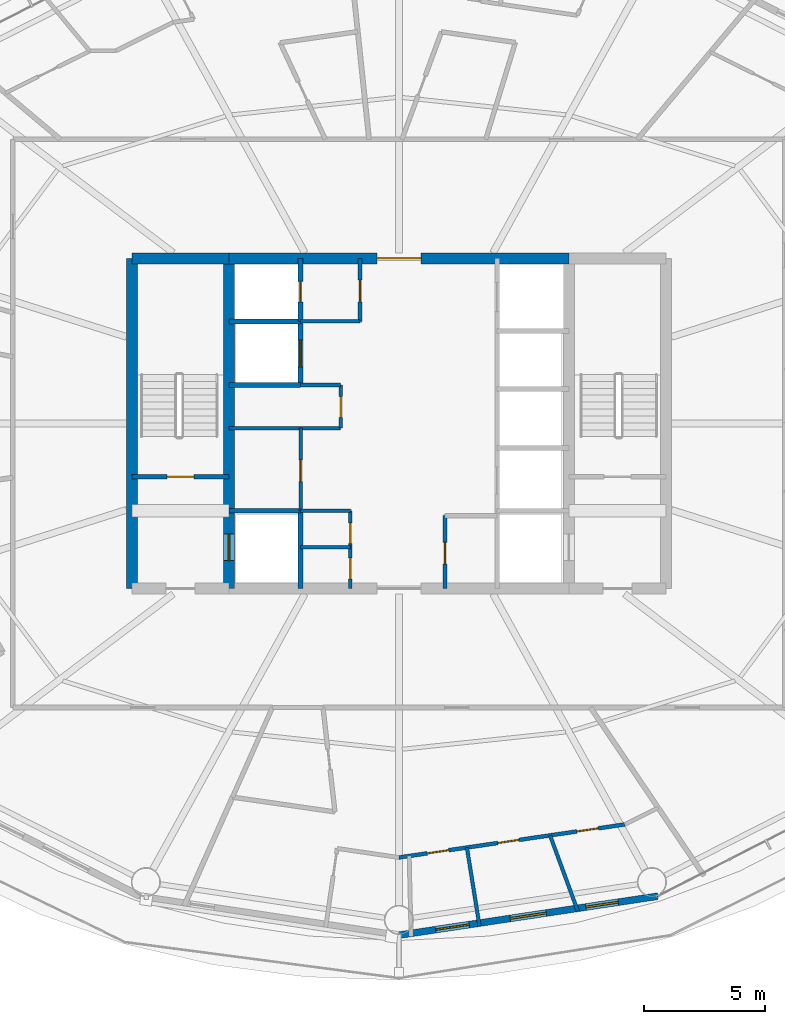
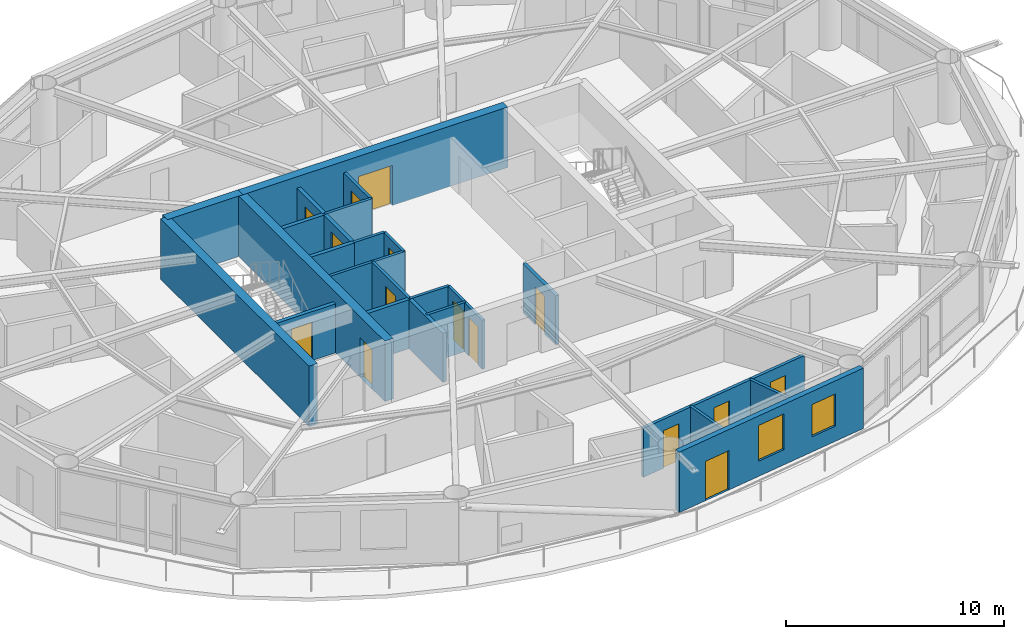
# One storey, part 21 of 28: 25 walls, 15 doors, 2 windows, 17 openings.
"""IFC4 building model written with IfcOpenShell, lengths in metres."""

from ifc_helpers import new_model, si_unit, direction, frame, frame_2d, origin, place, context, subcontext, project, spatial, rectangle, extrude, material, layer, layer_set, type_object, element, fill, save


model = new_model("IFC4")

# Units and contexts
model_context = context("Model", 3, precision=1e-05, world=origin(), true_north=direction((0.0, 1.0)))
body_context = subcontext(model_context, "Body", "Model", "MODEL_VIEW")
ifc_project = project(units=[si_unit("LENGTHUNIT", "METRE"), si_unit("AREAUNIT", "SQUARE_METRE"), si_unit("VOLUMEUNIT", "CUBIC_METRE"), si_unit("PLANEANGLEUNIT", "RADIAN"), si_unit("MASSUNIT", "GRAM", prefix="KILO")], contexts=[model_context])

# Site, building, storey
site_placement = place(None, origin())
site = spatial("IfcSite", under=ifc_project, at=site_placement, CompositionType="ELEMENT")
building_placement = place(site_placement, origin())
building = spatial("IfcBuilding", under=site, at=building_placement, Name="Sarneth Arch Tower", CompositionType="ELEMENT")
storey_placement = place(building_placement, frame((0.0, 0.0, 179.39990234375)))
storey = spatial("IfcBuildingStorey", under=building, at=storey_placement, Name="L45", CompositionType="ELEMENT", Elevation=179.39990234375)

# Wall
ifc_material_1 = material(Name="Concrete C50/60", Category="concrete")
ifc_layer_1 = layer(ifc_material_1, 0.449951171875)
ifc_layer_set_1 = layer_set([ifc_layer_1], Name="Concrete C50/60")
wall_type_1 = type_object("IfcWallType", Name="WALL-CORE-450", PredefinedType="SHEAR", material=ifc_layer_set_1)
wall_1_placement = place(storey_placement, frame((37.0, 48.800048828125, 0.0), z_axis=(0.0, 0.0, 1.0), x_axis=(1.0, 0.0, 0.0)))
element("IfcWall", 1, at=wall_1_placement, inside=storey, type_object=wall_type_1, Name="L45 Core shear wall N-W", PredefinedType="SHEAR", context=body_context, shape_type="SweptSolid", body=[
    extrude(rectangle(XDim=4.0, YDim=0.449951171875, at=frame_2d((2.0, 0.0))), origin(), (0.0, 0.0, 1.0), 3.380126953125),
])

# Wall, opening, door
wall_2_placement = place(storey_placement, frame((41.0, 48.800048828125, 0.0), z_axis=(0.0, 0.0, 1.0), x_axis=(1.0, 0.0, 0.0)))
wall_2 = element("IfcWall", 2, at=wall_2_placement, inside=storey, type_object=wall_type_1, Name="L45 Core shear wall N-M", PredefinedType="SHEAR", context=body_context, shape_type="SweptSolid", body=[
    extrude(rectangle(XDim=14.0, YDim=0.449951171875, at=frame_2d((7.0, 0.0))), origin(), (0.0, 0.0, 1.0), 3.380126953125),
])
opening_1_placement = place(wall_2_placement, frame((6.10009765625, 0.0, 0.0)))
opening_1 = element("IfcOpeningElement", 3, at=opening_1_placement, cuts=wall_2, Name="Opening FD-01", PredefinedType="OPENING", context=body_context, shape_type="SweptSolid", body=[
    extrude(rectangle(XDim=1.800048828125, YDim=2.25, at=frame_2d((0.89990234375, 1.125))), frame((0.0, 0.23486328125, 0.0), z_axis=(0.0, -1.0, 0.0), x_axis=(1.0, 0.0, 0.0)), (0.0, 0.0, 1.0), 0.469970703125),
])
ifc_material_2 = material(Name="Galvanised Steel S275 fire door set", Category="steel")
door_type_1 = type_object("IfcDoorType", Name="DR-FD90-1800", OperationType="DOUBLE_DOOR_SINGLE_SWING", PredefinedType="DOOR", material=ifc_material_2)
door_1_placement = place(opening_1_placement, origin())
door_1 = element("IfcDoor", 4, at=door_1_placement, inside=storey, type_object=door_type_1, Name="L45 Central lift lobby north door", OperationType="DOUBLE_DOOR_SINGLE_SWING", OverallHeight=2.25, OverallWidth=1.800048828125, PredefinedType="DOOR", context=body_context, shape_type="SweptSolid", body=[
    extrude(rectangle(XDim=1.800048828125, YDim=2.25, at=frame_2d((0.89990234375, 1.125))), frame((0.0, 0.02490234375, 0.0), z_axis=(0.0, -1.0, 0.0), x_axis=(1.0, 0.0, 0.0)), (0.0, 0.0, 1.0), 0.050048828125),
])
fill(opening_1, door_1)

# Wall
wall_3_placement = place(storey_placement, frame((37.0, 35.199951171875, 0.0), z_axis=(0.0, 0.0, 1.0), x_axis=(0.0, 1.0, 0.0)))
element("IfcWall", 5, at=wall_3_placement, inside=storey, type_object=wall_type_1, Name="L45 Core shear wall W", PredefinedType="SHEAR", context=body_context, shape_type="SweptSolid", body=[
    extrude(rectangle(XDim=13.60009765625, YDim=0.449951171875, at=frame_2d((6.800048828125, 0.0))), origin(), (0.0, 0.0, 1.0), 3.380126953125),
])

# Wall, opening, door
wall_4_placement = place(storey_placement, frame((41.0, 35.199951171875, 0.0), z_axis=(0.0, 0.0, 1.0), x_axis=(0.0, 1.0, 0.0)))
wall_4 = element("IfcWall", 6, at=wall_4_placement, inside=storey, type_object=wall_type_1, Name="L45 Core shear wall WEB-W", PredefinedType="SHEAR", context=body_context, shape_type="SweptSolid", body=[
    extrude(rectangle(XDim=13.60009765625, YDim=0.449951171875, at=frame_2d((6.800048828125, 0.0))), origin(), (0.0, 0.0, 1.0), 3.380126953125),
])
opening_2_placement = place(wall_4_placement, frame((1.14990234375, 0.0, 0.0)))
opening_2 = element("IfcOpeningElement", 7, at=opening_2_placement, cuts=wall_4, Name="Opening LD-1", PredefinedType="OPENING", context=body_context, shape_type="SweptSolid", body=[
    extrude(rectangle(XDim=1.10009765625, YDim=2.199951171875, at=frame_2d((0.550048828125, 1.10009765625))), frame((0.0, 0.23486328125, 0.0), z_axis=(0.0, -1.0, 0.0), x_axis=(1.0, 0.0, 0.0)), (0.0, 0.0, 1.0), 0.469970703125),
])
ifc_material_3 = material(Name="Brushed Stainless Steel 304 lift landing door", Category="steel")
door_type_2 = type_object("IfcDoorType", Name="DR-LIFT-SLIDE-1100", OperationType="SLIDING_TO_LEFT", PredefinedType="DOOR", material=ifc_material_3)
door_2_placement = place(opening_2_placement, origin())
door_2 = element("IfcDoor", 8, at=door_2_placement, inside=storey, type_object=door_type_2, Name="L45 Firefighting lift landing door FL-1", OperationType="SLIDING_TO_LEFT", OverallHeight=2.199951171875, OverallWidth=1.10009765625, PredefinedType="DOOR", context=body_context, shape_type="SweptSolid", body=[
    extrude(rectangle(XDim=1.10009765625, YDim=2.199951171875, at=frame_2d((0.550048828125, 1.10009765625))), frame((0.0, 0.02490234375, 0.0), z_axis=(0.0, -1.0, 0.0), x_axis=(1.0, 0.0, 0.0)), (0.0, 0.0, 1.0), 0.050048828125),
])
fill(opening_2, door_2)

# Wall, openings, door, windows
ifc_material_4 = material(Name="Extruded terracotta rainscreen on Concrete C40/50 backing", Category="masonry")
ifc_layer_2 = layer(ifc_material_4, 0.280029296875)
ifc_layer_set_2 = layer_set([ifc_layer_2], Name="Extruded terracotta rainscreen on Concrete C40/50 backing")
wall_type_2 = type_object("IfcWallType", Name="WALL-EXT-TERRA-280", PredefinedType="SOLIDWALL", material=ifc_layer_set_2)
wall_5_placement = place(storey_placement, frame((48.0, 20.919921875, 0.0), z_axis=(0.0, 0.0, 1.0), x_axis=(0.988863993413, 0.148822049884, 0.0)))
wall_5 = element("IfcWall", 9, at=wall_5_placement, inside=storey, type_object=wall_type_2, Name="L45 Terracotta perimeter wall 13", PredefinedType="SOLIDWALL", context=body_context, shape_type="SweptSolid", body=[
    extrude(rectangle(XDim=10.782958984375, YDim=0.280029296875, at=frame_2d((5.3916015625, 0.0))), origin(), (0.0, 0.0, 1.0), 3.380126953125),
])
opening_3_placement = place(wall_5_placement, frame((1.523681640625, 0.0, 0.0)))
opening_3 = element("IfcOpeningElement", 10, at=opening_3_placement, cuts=wall_5, Name="Opening BD-2", PredefinedType="OPENING", context=body_context, shape_type="SweptSolid", body=[
    extrude(rectangle(XDim=1.39990234375, YDim=2.199951171875, at=frame_2d((0.699951171875, 1.10009765625))), frame((0.0, 0.14990234375, 0.0), z_axis=(0.0, -1.0, 0.0), x_axis=(1.0, 0.0, 0.0)), (0.0, 0.0, 1.0), 0.300048828125),
])
opening_4_placement = place(wall_5_placement, frame((4.636962890625, 0.0, 0.85009765625)))
opening_4 = element("IfcOpeningElement", 11, at=opening_4_placement, cuts=wall_5, Name="Opening W-06", PredefinedType="OPENING", context=body_context, shape_type="SweptSolid", body=[
    extrude(rectangle(XDim=1.5, YDim=2.0, at=frame_2d((0.75, 1.0))), frame((0.0, 0.14990234375, 0.0), z_axis=(0.0, -1.0, 0.0), x_axis=(1.0, 0.0, 0.0)), (0.0, 0.0, 1.0), 0.300048828125),
])
opening_5_placement = place(wall_5_placement, frame((7.783203125, 0.0, 0.85009765625)))
opening_5 = element("IfcOpeningElement", 12, at=opening_5_placement, cuts=wall_5, Name="Opening W-08", PredefinedType="OPENING", context=body_context, shape_type="SweptSolid", body=[
    extrude(rectangle(XDim=1.35009765625, YDim=1.800048828125, at=frame_2d((0.675048828125, 0.89990234375))), frame((0.0, 0.14990234375, 0.0), z_axis=(0.0, -1.0, 0.0), x_axis=(1.0, 0.0, 0.0)), (0.0, 0.0, 1.0), 0.300048828125),
])
ifc_material_5 = material(Name="Thermally broken Aluminium 6063-T6 and laminated safety glass", Category="aluminium")
door_type_3 = type_object("IfcDoorType", Name="DR-BALC-GLZ-1400", OperationType="SINGLE_SWING_LEFT", PredefinedType="DOOR", material=ifc_material_5)
door_3_placement = place(opening_3_placement, origin())
door_3 = element("IfcDoor", 13, at=door_3_placement, inside=storey, type_object=door_type_3, Name="L45 Balcony glazed door 13", OperationType="SINGLE_SWING_LEFT", OverallHeight=2.199951171875, OverallWidth=1.39990234375, PredefinedType="DOOR", context=body_context, shape_type="SweptSolid", body=[
    extrude(rectangle(XDim=1.39990234375, YDim=2.199951171875, at=frame_2d((0.699951171875, 1.10009765625))), frame((0.0, 0.02490234375, 0.0), z_axis=(0.0, -1.0, 0.0), x_axis=(1.0, 0.0, 0.0)), (0.0, 0.0, 1.0), 0.050048828125),
])
fill(opening_3, door_3)
ifc_material_6 = material(Name="Thermally broken Aluminium 6063-T6 and low-e laminated IGU", Category="aluminium")
window_type_1 = type_object("IfcWindowType", Name="WIN-TWR-1350x1800", PartitioningType="SINGLE_PANEL", PredefinedType="WINDOW", material=ifc_material_6)
window_1_placement = place(opening_5_placement, origin())
window_1 = element("IfcWindow", 14, at=window_1_placement, inside=storey, type_object=window_type_1, Name="L45 Exterior window 13B", OverallHeight=1.800048828125, OverallWidth=1.35009765625, PartitioningType="SINGLE_PANEL", PredefinedType="WINDOW", context=body_context, shape_type="SweptSolid", body=[
    extrude(rectangle(XDim=1.35009765625, YDim=1.800048828125, at=frame_2d((0.675048828125, 0.89990234375))), frame((0.0, 0.030029296875, 0.0), z_axis=(0.0, -1.0, 0.0), x_axis=(1.0, 0.0, 0.0)), (0.0, 0.0, 1.0), 0.06005859375),
])
fill(opening_5, window_1)
ifc_material_7 = material(Name="Thermally broken Aluminium 6063-T6 and low-e laminated IGU", Category="aluminium")
window_type_2 = type_object("IfcWindowType", Name="WIN-TWR-1500x2000", PartitioningType="SINGLE_PANEL", PredefinedType="WINDOW", material=ifc_material_7)
window_2_placement = place(opening_4_placement, origin())
window_2 = element("IfcWindow", 15, at=window_2_placement, inside=storey, type_object=window_type_2, Name="L45 Exterior window 13A", OverallHeight=2.0, OverallWidth=1.5, PartitioningType="SINGLE_PANEL", PredefinedType="WINDOW", context=body_context, shape_type="SweptSolid", body=[
    extrude(rectangle(XDim=1.5, YDim=2.0, at=frame_2d((0.75, 1.0))), frame((0.0, 0.030029296875, 0.0), z_axis=(0.0, -1.0, 0.0), x_axis=(1.0, 0.0, 0.0)), (0.0, 0.0, 1.0), 0.06005859375),
])
fill(opening_4, window_2)

# Wall, opening, door
ifc_material_8 = material(Name="Acoustic gypsum stud partition", Category="gypsum")
ifc_layer_3 = layer(ifc_material_8, 0.14990234375)
ifc_layer_set_3 = layer_set([ifc_layer_3], Name="Acoustic gypsum stud partition")
wall_type_3 = type_object("IfcWallType", Name="WALL-PART-150", PredefinedType="PARTITIONING", material=ifc_layer_set_3)
wall_6_placement = place(storey_placement, frame((43.949951171875, 38.39990234375, 0.0), z_axis=(0.0, 0.0, 1.0), x_axis=(0.0, 1.0, 0.0)))
wall_6 = element("IfcWall", 16, at=wall_6_placement, inside=storey, type_object=wall_type_3, Name="L45 Interior partition W-L45-RECPL-E1", PredefinedType="PARTITIONING", context=body_context, shape_type="SweptSolid", body=[
    extrude(rectangle(XDim=3.400146484375, YDim=0.14990234375, at=frame_2d((1.7001953125, 0.0))), origin(), (0.0, 0.0, 1.0), 2.739990234375),
])
opening_6_placement = place(wall_6_placement, frame((1.199951171875, 0.0, 0.0)))
opening_6 = element("IfcOpeningElement", 17, at=opening_6_placement, cuts=wall_6, Name="Opening FD-10", PredefinedType="OPENING", context=body_context, shape_type="SweptSolid", body=[
    extrude(rectangle(XDim=0.89990234375, YDim=2.14990234375, at=frame_2d((0.449951171875, 1.074951171875))), frame((0.0, 0.0849609375, 0.0), z_axis=(0.0, -1.0, 0.0), x_axis=(1.0, 0.0, 0.0)), (0.0, 0.0, 1.0), 0.169921875),
])
ifc_material_9 = material(Name="Galvanised Steel S275 riser/service fire door", Category="steel")
door_type_4 = type_object("IfcDoorType", Name="DR-FD60-900", OperationType="SINGLE_SWING_LEFT", PredefinedType="DOOR", material=ifc_material_9)
door_4_placement = place(opening_6_placement, origin())
door_4 = element("IfcDoor", 18, at=door_4_placement, inside=storey, type_object=door_type_4, Name="L45 Interior door DR-L45-RECPL1", OperationType="SINGLE_SWING_LEFT", OverallHeight=2.14990234375, OverallWidth=0.89990234375, PredefinedType="DOOR", context=body_context, shape_type="SweptSolid", body=[
    extrude(rectangle(XDim=0.89990234375, YDim=2.14990234375, at=frame_2d((0.449951171875, 1.074951171875))), frame((0.0, 0.02490234375, 0.0), z_axis=(0.0, -1.0, 0.0), x_axis=(1.0, 0.0, 0.0)), (0.0, 0.0, 1.0), 0.050048828125),
])
fill(opening_6, door_4)

# Walls
wall_7_placement = place(storey_placement, frame((41.0, 41.800048828125, 0.0), z_axis=(0.0, 0.0, 1.0), x_axis=(1.0, 0.0, 0.0)))
element("IfcWall", 19, at=wall_7_placement, inside=storey, type_object=wall_type_3, Name="L45 Interior partition W-L45-RECPL-S2", PredefinedType="PARTITIONING", context=body_context, shape_type="SweptSolid", body=[
    extrude(rectangle(XDim=4.60009765625, YDim=0.14990234375, at=frame_2d((2.300048828125, 0.0))), origin(), (0.0, 0.0, 1.0), 2.739990234375),
])
wall_8_placement = place(storey_placement, frame((43.949951171875, 43.580078125, 0.0), z_axis=(0.0, 0.0, 1.0), x_axis=(1.0, 0.0, 0.0)))
element("IfcWall", 20, at=wall_8_placement, inside=storey, type_object=wall_type_3, Name="L45 Interior partition W-L45-RECPL-N2", PredefinedType="PARTITIONING", context=body_context, shape_type="SweptSolid", body=[
    extrude(rectangle(XDim=1.650146484375, YDim=0.14990234375, at=frame_2d((0.8251953125, 0.0))), origin(), (0.0, 0.0, 1.0), 2.739990234375),
])

# Wall, opening, door
wall_9_placement = place(storey_placement, frame((45.60009765625, 41.800048828125, 0.0), z_axis=(0.0, 0.0, 1.0), x_axis=(0.0, 1.0, 0.0)))
wall_9 = element("IfcWall", 21, at=wall_9_placement, inside=storey, type_object=wall_type_3, Name="L45 Interior partition W-L45-RECPL-E2", PredefinedType="PARTITIONING", context=body_context, shape_type="SweptSolid", body=[
    extrude(rectangle(XDim=1.780029296875, YDim=0.14990234375, at=frame_2d((0.89013671875, 0.0))), origin(), (0.0, 0.0, 1.0), 2.739990234375),
])
opening_7_placement = place(wall_9_placement, frame((0.449951171875, 0.0, 0.0)))
opening_7 = element("IfcOpeningElement", 22, at=opening_7_placement, cuts=wall_9, Name="Opening FD-11", PredefinedType="OPENING", context=body_context, shape_type="SweptSolid", body=[
    extrude(rectangle(XDim=0.85009765625, YDim=2.14990234375, at=frame_2d((0.425048828125, 1.074951171875))), frame((0.0, 0.0849609375, 0.0), z_axis=(0.0, -1.0, 0.0), x_axis=(1.0, 0.0, 0.0)), (0.0, 0.0, 1.0), 0.169921875),
])
ifc_material_10 = material(Name="Galvanised Steel S275 closet fire door", Category="steel")
door_type_5 = type_object("IfcDoorType", Name="DR-FD60-850", OperationType="SINGLE_SWING_LEFT", PredefinedType="DOOR", material=ifc_material_10)
door_5_placement = place(opening_7_placement, origin())
door_5 = element("IfcDoor", 23, at=door_5_placement, inside=storey, type_object=door_type_5, Name="L45 Interior door DR-L45-RECPL2", OperationType="SINGLE_SWING_RIGHT", OverallHeight=2.14990234375, OverallWidth=0.85009765625, PredefinedType="DOOR", context=body_context, shape_type="SweptSolid", body=[
    extrude(rectangle(XDim=0.85009765625, YDim=2.14990234375, at=frame_2d((0.425048828125, 1.074951171875))), frame((0.0, 0.02490234375, 0.0), z_axis=(0.0, -1.0, 0.0), x_axis=(1.0, 0.0, 0.0)), (0.0, 0.0, 1.0), 0.050048828125),
])
fill(opening_7, door_5)

# Walls
for number, where, z_axis, x_axis, name in (
    (24, (43.949951171875, 36.89990234375, 0.0), (0.0, 0.0, 1.0), (1.0, 0.0, 0.0), "L45 Interior partition W-L45-CSUP-M"),
    (25, (43.949951171875, 38.39990234375, 0.0), (0.0, 0.0, 1.0), (1.0, 0.0, 0.0), "L45 Interior partition W-L45-CSUP-N"),
):
    element("IfcWall", number, at=place(storey_placement, frame(where, z_axis=z_axis, x_axis=x_axis)), inside=storey, type_object=wall_type_3, Name=name, PredefinedType="PARTITIONING", context=body_context, shape_type="SweptSolid", body=[
        extrude(rectangle(XDim=2.050048828125, YDim=0.14990234375, at=frame_2d((1.02490234375, 0.0))), origin(), (0.0, 0.0, 1.0), 2.739990234375),
    ])

# Wall, openings, doors
wall_10_placement = place(storey_placement, frame((46.0, 35.199951171875, 0.0), z_axis=(0.0, 0.0, 1.0), x_axis=(0.0, 1.0, 0.0)))
wall_10 = element("IfcWall", 26, at=wall_10_placement, inside=storey, type_object=wall_type_3, Name="L45 Interior partition W-L45-CSUP-E", PredefinedType="PARTITIONING", context=body_context, shape_type="SweptSolid", body=[
    extrude(rectangle(XDim=3.199951171875, YDim=0.14990234375, at=frame_2d((1.60009765625, 0.0))), origin(), (0.0, 0.0, 1.0), 2.739990234375),
])
opening_8_placement = place(wall_10_placement, frame((0.39990234375, 0.0, 0.0)))
opening_8 = element("IfcOpeningElement", 27, at=opening_8_placement, cuts=wall_10, Name="Opening FD-11", PredefinedType="OPENING", context=body_context, shape_type="SweptSolid", body=[
    extrude(rectangle(XDim=0.85009765625, YDim=2.14990234375, at=frame_2d((0.425048828125, 1.074951171875))), frame((0.0, 0.0849609375, 0.0), z_axis=(0.0, -1.0, 0.0), x_axis=(1.0, 0.0, 0.0)), (0.0, 0.0, 1.0), 0.169921875),
])
opening_9_placement = place(wall_10_placement, frame((1.85009765625, 0.0, 0.0)))
opening_9 = element("IfcOpeningElement", 28, at=opening_9_placement, cuts=wall_10, Name="Opening FD-11", PredefinedType="OPENING", context=body_context, shape_type="SweptSolid", body=[
    extrude(rectangle(XDim=0.85009765625, YDim=2.14990234375, at=frame_2d((0.425048828125, 1.074951171875))), frame((0.0, 0.0849609375, 0.0), z_axis=(0.0, -1.0, 0.0), x_axis=(1.0, 0.0, 0.0)), (0.0, 0.0, 1.0), 0.169921875),
])
door_6_placement = place(opening_8_placement, origin())
door_6 = element("IfcDoor", 29, at=door_6_placement, inside=storey, type_object=door_type_5, Name="L45 Interior door DR-L45-CSUP1", OperationType="SINGLE_SWING_LEFT", OverallHeight=2.14990234375, OverallWidth=0.85009765625, PredefinedType="DOOR", context=body_context, shape_type="SweptSolid", body=[
    extrude(rectangle(XDim=0.85009765625, YDim=2.14990234375, at=frame_2d((0.425048828125, 1.074951171875))), frame((0.0, 0.02490234375, 0.0), z_axis=(0.0, -1.0, 0.0), x_axis=(1.0, 0.0, 0.0)), (0.0, 0.0, 1.0), 0.050048828125),
])
fill(opening_8, door_6)
door_7_placement = place(opening_9_placement, origin())
door_7 = element("IfcDoor", 30, at=door_7_placement, inside=storey, type_object=door_type_5, Name="L45 Interior door DR-L45-CSUP2", OperationType="SINGLE_SWING_RIGHT", OverallHeight=2.14990234375, OverallWidth=0.85009765625, PredefinedType="DOOR", context=body_context, shape_type="SweptSolid", body=[
    extrude(rectangle(XDim=0.85009765625, YDim=2.14990234375, at=frame_2d((0.425048828125, 1.074951171875))), frame((0.0, 0.02490234375, 0.0), z_axis=(0.0, -1.0, 0.0), x_axis=(1.0, 0.0, 0.0)), (0.0, 0.0, 1.0), 0.050048828125),
])
fill(opening_9, door_7)

# Wall
wall_11_placement = place(storey_placement, frame((43.949951171875, 46.199951171875, 0.0), z_axis=(0.0, 0.0, 1.0), x_axis=(1.0, 0.0, 0.0)))
element("IfcWall", 31, at=wall_11_placement, inside=storey, type_object=wall_type_3, Name="L45 Interior partition W-L45-CSUP3-S", PredefinedType="PARTITIONING", context=body_context, shape_type="SweptSolid", body=[
    extrude(rectangle(XDim=2.449951171875, YDim=0.14990234375, at=frame_2d((1.22509765625, 0.0))), origin(), (0.0, 0.0, 1.0), 2.739990234375),
])

# Wall, opening, door
wall_12_placement = place(storey_placement, frame((46.39990234375, 46.199951171875, 0.0), z_axis=(0.0, 0.0, 1.0), x_axis=(0.0, 1.0, 0.0)))
wall_12 = element("IfcWall", 32, at=wall_12_placement, inside=storey, type_object=wall_type_3, Name="L45 Interior partition W-L45-CSUP3-E", PredefinedType="PARTITIONING", context=body_context, shape_type="SweptSolid", body=[
    extrude(rectangle(XDim=2.60009765625, YDim=0.14990234375, at=frame_2d((1.300048828125, 0.0))), origin(), (0.0, 0.0, 1.0), 2.739990234375),
])
opening_10_placement = place(wall_12_placement, frame((0.800048828125, 0.0, 0.0)))
opening_10 = element("IfcOpeningElement", 33, at=opening_10_placement, cuts=wall_12, Name="Opening FD-10", PredefinedType="OPENING", context=body_context, shape_type="SweptSolid", body=[
    extrude(rectangle(XDim=0.89990234375, YDim=2.14990234375, at=frame_2d((0.449951171875, 1.074951171875))), frame((0.0, 0.0849609375, 0.0), z_axis=(0.0, -1.0, 0.0), x_axis=(1.0, 0.0, 0.0)), (0.0, 0.0, 1.0), 0.169921875),
])
door_8_placement = place(opening_10_placement, origin())
door_8 = element("IfcDoor", 34, at=door_8_placement, inside=storey, type_object=door_type_4, Name="L45 Interior door DR-L45-CSUP3", OperationType="SINGLE_SWING_LEFT", OverallHeight=2.14990234375, OverallWidth=0.89990234375, PredefinedType="DOOR", context=body_context, shape_type="SweptSolid", body=[
    extrude(rectangle(XDim=0.89990234375, YDim=2.14990234375, at=frame_2d((0.449951171875, 1.074951171875))), frame((0.0, 0.02490234375, 0.0), z_axis=(0.0, -1.0, 0.0), x_axis=(1.0, 0.0, 0.0)), (0.0, 0.0, 1.0), 0.050048828125),
])
fill(opening_10, door_8)

# Walls
wall_13_placement = place(storey_placement, frame((55.3701171875, 21.91015625, 0.0), z_axis=(0.0, 0.0, 1.0), x_axis=(-0.344425148523, 0.938813781889, 0.0)))
element("IfcWall", 35, at=wall_13_placement, inside=storey, type_object=wall_type_3, Name="L45 Interior partition W-L45-TP-097", PredefinedType="PARTITIONING", context=body_context, shape_type="SweptSolid", body=[
    extrude(rectangle(XDim=3.32373046875, YDim=0.14990234375, at=frame_2d((1.661865234375, 0.0))), origin(), (0.0, 0.0, 1.0), 2.739990234375),
])
wall_14_placement = place(storey_placement, frame((51.3193359375, 21.298095703125, 0.0), z_axis=(0.0, 0.0, 1.0), x_axis=(-0.158287238469, 0.987393108209, 0.0)))
element("IfcWall", 36, at=wall_14_placement, inside=storey, type_object=wall_type_3, Name="L45 Interior partition W-L45-TP-096", PredefinedType="PARTITIONING", context=body_context, shape_type="SweptSolid", body=[
    extrude(rectangle(XDim=3.27294921875, YDim=0.14990234375, at=frame_2d((1.636474609375, 0.0))), origin(), (0.0, 0.0, 1.0), 2.739990234375),
])

# Wall, openings, doors
ifc_material_11 = material(Name="Kitchen wet service chase wall", Category="gypsum")
ifc_layer_4 = layer(ifc_material_11, 0.159912109375)
ifc_layer_set_4 = layer_set([ifc_layer_4], Name="Kitchen wet service chase wall")
wall_type_4 = type_object("IfcWallType", Name="WALL-PLUMB-160", PredefinedType="PLUMBINGWALL", material=ifc_layer_set_4)
wall_15_placement = place(storey_placement, frame((57.30517578125, 25.481201171875, 0.0), z_axis=(0.0, 0.0, 1.0), x_axis=(-0.989470950226, -0.144731609055, 0.0)))
wall_15 = element("IfcWall", 37, at=wall_15_placement, inside=storey, type_object=wall_type_4, Name="L45 Interior partition W-L45-TP-091", PredefinedType="PLUMBINGWALL", context=body_context, shape_type="SweptSolid", body=[
    extrude(rectangle(XDim=9.404296875, YDim=0.159912109375, at=frame_2d((4.7021484375, 0.0))), origin(), (0.0, 0.0, 1.0), 2.739990234375),
])
opening_11_placement = place(wall_15_placement, frame((4.392578125, 0.0, 0.0)))
opening_11 = element("IfcOpeningElement", 38, at=opening_11_placement, cuts=wall_15, Name="Opening ID-01", PredefinedType="OPENING", context=body_context, shape_type="SweptSolid", body=[
    extrude(rectangle(XDim=0.89990234375, YDim=2.10009765625, at=frame_2d((0.449951171875, 1.050048828125))), frame((0.0, 0.08984375, 0.0), z_axis=(0.0, -1.0, 0.0), x_axis=(1.0, 0.0, 0.0)), (0.0, 0.0, 1.0), 0.179931640625),
])
opening_12_placement = place(wall_15_placement, frame((1.106201171875, 0.0, 0.0)))
opening_12 = element("IfcOpeningElement", 39, at=opening_12_placement, cuts=wall_15, Name="Opening ID-01", PredefinedType="OPENING", context=body_context, shape_type="SweptSolid", body=[
    extrude(rectangle(XDim=0.89990234375, YDim=2.10009765625, at=frame_2d((0.449951171875, 1.050048828125))), frame((0.0, 0.08984375, 0.0), z_axis=(0.0, -1.0, 0.0), x_axis=(1.0, 0.0, 0.0)), (0.0, 0.0, 1.0), 0.179931640625),
])
opening_13_placement = place(wall_15_placement, frame((7.324951171875, 0.0, 0.0)))
opening_13 = element("IfcOpeningElement", 40, at=opening_13_placement, cuts=wall_15, Name="Opening ID-01", PredefinedType="OPENING", context=body_context, shape_type="SweptSolid", body=[
    extrude(rectangle(XDim=0.89990234375, YDim=2.10009765625, at=frame_2d((0.449951171875, 1.050048828125))), frame((0.0, 0.08984375, 0.0), z_axis=(0.0, -1.0, 0.0), x_axis=(1.0, 0.0, 0.0)), (0.0, 0.0, 1.0), 0.179931640625),
])
ifc_material_12 = material(Name="Engineered hardwood flush door", Category="wood")
door_type_6 = type_object("IfcDoorType", Name="DR-INT-900", OperationType="SINGLE_SWING_LEFT", PredefinedType="DOOR", material=ifc_material_12)
door_9_placement = place(opening_11_placement, origin())
door_9 = element("IfcDoor", 41, at=door_9_placement, inside=storey, type_object=door_type_6, Name="L45 Interior door DR-L45-U6-BED2", OperationType="SINGLE_SWING_LEFT", OverallHeight=2.10009765625, OverallWidth=0.89990234375, PredefinedType="DOOR", context=body_context, shape_type="SweptSolid", body=[
    extrude(rectangle(XDim=0.89990234375, YDim=2.10009765625, at=frame_2d((0.449951171875, 1.050048828125))), frame((0.0, 0.02490234375, 0.0), z_axis=(0.0, -1.0, 0.0), x_axis=(1.0, 0.0, 0.0)), (0.0, 0.0, 1.0), 0.050048828125),
])
fill(opening_11, door_9)
door_10_placement = place(opening_12_placement, origin())
door_10 = element("IfcDoor", 42, at=door_10_placement, inside=storey, type_object=door_type_6, Name="L45 Interior door DR-L45-U6-BED3", OperationType="SINGLE_SWING_RIGHT", OverallHeight=2.10009765625, OverallWidth=0.89990234375, PredefinedType="DOOR", context=body_context, shape_type="SweptSolid", body=[
    extrude(rectangle(XDim=0.89990234375, YDim=2.10009765625, at=frame_2d((0.449951171875, 1.050048828125))), frame((0.0, 0.02490234375, 0.0), z_axis=(0.0, -1.0, 0.0), x_axis=(1.0, 0.0, 0.0)), (0.0, 0.0, 1.0), 0.050048828125),
])
fill(opening_12, door_10)
door_11_placement = place(opening_13_placement, origin())
door_11 = element("IfcDoor", 43, at=door_11_placement, inside=storey, type_object=door_type_6, Name="L45 Interior door DR-L45-U6-BED1", OperationType="SINGLE_SWING_RIGHT", OverallHeight=2.10009765625, OverallWidth=0.89990234375, PredefinedType="DOOR", context=body_context, shape_type="SweptSolid", body=[
    extrude(rectangle(XDim=0.89990234375, YDim=2.10009765625, at=frame_2d((0.449951171875, 1.050048828125))), frame((0.0, 0.02490234375, 0.0), z_axis=(0.0, -1.0, 0.0), x_axis=(1.0, 0.0, 0.0)), (0.0, 0.0, 1.0), 0.050048828125),
])
fill(opening_13, door_11)

# Wall, opening, door
ifc_material_13 = material(Name="Moisture-resistant plumbing chase wall", Category="gypsum")
ifc_layer_5 = layer(ifc_material_13, 0.179931640625)
ifc_layer_set_5 = layer_set([ifc_layer_5], Name="Moisture-resistant plumbing chase wall")
wall_type_5 = type_object("IfcWallType", Name="WALL-PLUMB-180", PredefinedType="PLUMBINGWALL", material=ifc_layer_set_5)
wall_16_placement = place(storey_placement, frame((49.89990234375, 35.199951171875, 0.0), z_axis=(0.0, 0.0, 1.0), x_axis=(0.0, 1.0, 0.0)))
wall_16 = element("IfcWall", 44, at=wall_16_placement, inside=storey, type_object=wall_type_5, Name="L45 Interior partition W-L45-AWC-W", PredefinedType="PLUMBINGWALL", context=body_context, shape_type="SweptSolid", body=[
    extrude(rectangle(XDim=3.0, YDim=0.179931640625, at=frame_2d((1.5, 0.0))), origin(), (0.0, 0.0, 1.0), 2.739990234375),
])
opening_14_placement = place(wall_16_placement, frame((1.0, 0.0, 0.0)))
opening_14 = element("IfcOpeningElement", 45, at=opening_14_placement, cuts=wall_16, Name="Opening ID-01", PredefinedType="OPENING", context=body_context, shape_type="SweptSolid", body=[
    extrude(rectangle(XDim=0.89990234375, YDim=2.10009765625, at=frame_2d((0.449951171875, 1.050048828125))), frame((0.0, 0.099853515625, 0.0), z_axis=(0.0, -1.0, 0.0), x_axis=(1.0, 0.0, 0.0)), (0.0, 0.0, 1.0), 0.199951171875),
])
door_12_placement = place(opening_14_placement, origin())
door_12 = element("IfcDoor", 46, at=door_12_placement, inside=storey, type_object=door_type_6, Name="L45 Interior door DR-L45-AWC", OperationType="SINGLE_SWING_RIGHT", OverallHeight=2.10009765625, OverallWidth=0.89990234375, PredefinedType="DOOR", context=body_context, shape_type="SweptSolid", body=[
    extrude(rectangle(XDim=0.89990234375, YDim=2.10009765625, at=frame_2d((0.449951171875, 1.050048828125))), frame((0.0, 0.02490234375, 0.0), z_axis=(0.0, -1.0, 0.0), x_axis=(1.0, 0.0, 0.0)), (0.0, 0.0, 1.0), 0.050048828125),
])
fill(opening_14, door_12)

ifc_material_14 = material(Name="Aerated concrete blockwork C25/30", Category="masonry")
ifc_layer_6 = layer(ifc_material_14, 0.199951171875)
ifc_layer_set_6 = layer_set([ifc_layer_6], Name="Aerated concrete blockwork C25/30")
wall_type_6 = type_object("IfcWallType", Name="WALL-SHAFT-200", PredefinedType="SOLIDWALL", material=ifc_layer_set_6)
wall_17_placement = place(storey_placement, frame((37.0, 39.800048828125, 0.0), z_axis=(0.0, 0.0, 1.0), x_axis=(1.0, 0.0, 0.0)))
wall_17 = element("IfcWall", 47, at=wall_17_placement, inside=storey, type_object=wall_type_6, Name="L45 Interior partition W-L45-ST1-S", PredefinedType="SOLIDWALL", context=body_context, shape_type="SweptSolid", body=[
    extrude(rectangle(XDim=4.0, YDim=0.199951171875, at=frame_2d((2.0, 0.0))), origin(), (0.0, 0.0, 1.0), 2.739990234375),
])
opening_15_placement = place(wall_17_placement, frame((1.449951171875, 0.0, 0.0)))
opening_15 = element("IfcOpeningElement", 48, at=opening_15_placement, cuts=wall_17, Name="Opening FD-03", PredefinedType="OPENING", context=body_context, shape_type="SweptSolid", body=[
    extrude(rectangle(XDim=1.10009765625, YDim=2.14990234375, at=frame_2d((0.550048828125, 1.074951171875))), frame((0.0, 0.10986328125, 0.0), z_axis=(0.0, -1.0, 0.0), x_axis=(1.0, 0.0, 0.0)), (0.0, 0.0, 1.0), 0.219970703125),
])
ifc_material_15 = material(Name="Galvanised Steel S275 fire door set", Category="steel")
door_type_7 = type_object("IfcDoorType", Name="DR-FD90-1100", OperationType="SINGLE_SWING_LEFT", PredefinedType="DOOR", material=ifc_material_15)
door_13_placement = place(opening_15_placement, origin())
door_13 = element("IfcDoor", 49, at=door_13_placement, inside=storey, type_object=door_type_7, Name="L45 Interior door DR-L45-ST1", OperationType="SINGLE_SWING_LEFT", OverallHeight=2.14990234375, OverallWidth=1.10009765625, PredefinedType="DOOR", context=body_context, shape_type="SweptSolid", body=[
    extrude(rectangle(XDim=1.10009765625, YDim=2.14990234375, at=frame_2d((0.550048828125, 1.074951171875))), frame((0.0, 0.02490234375, 0.0), z_axis=(0.0, -1.0, 0.0), x_axis=(1.0, 0.0, 0.0)), (0.0, 0.0, 1.0), 0.050048828125),
])
fill(opening_15, door_13)

# Walls
wall_18_placement = place(storey_placement, frame((43.949951171875, 35.199951171875, 0.0), z_axis=(0.0, 0.0, 1.0), x_axis=(0.0, 1.0, 0.0)))
element("IfcWall", 50, at=wall_18_placement, inside=storey, type_object=wall_type_6, Name="L45 Interior partition W-L45-FL1-E", PredefinedType="SOLIDWALL", context=body_context, shape_type="SweptSolid", body=[
    extrude(rectangle(XDim=3.199951171875, YDim=0.199951171875, at=frame_2d((1.60009765625, 0.0))), origin(), (0.0, 0.0, 1.0), 2.739990234375),
])
for number, where, z_axis, x_axis, name in (
    (51, (41.0, 38.39990234375, 0.0), (0.0, 0.0, 1.0), (1.0, 0.0, 0.0), "L45 Interior partition W-L45-FL1-N"),
    (52, (41.0, 46.199951171875, 0.0), (0.0, 0.0, 1.0), (1.0, 0.0, 0.0), "L45 Interior partition W-L45-RISER-S"),
):
    element("IfcWall", number, at=place(storey_placement, frame(where, z_axis=z_axis, x_axis=x_axis)), inside=storey, type_object=wall_type_6, Name=name, PredefinedType="SOLIDWALL", context=body_context, shape_type="SweptSolid", body=[
        extrude(rectangle(XDim=2.949951171875, YDim=0.199951171875, at=frame_2d((1.47509765625, 0.0))), origin(), (0.0, 0.0, 1.0), 2.739990234375),
    ])

# Wall, opening, door
wall_19_placement = place(storey_placement, frame((43.949951171875, 46.199951171875, 0.0), z_axis=(0.0, 0.0, 1.0), x_axis=(0.0, 1.0, 0.0)))
wall_19 = element("IfcWall", 53, at=wall_19_placement, inside=storey, type_object=wall_type_6, Name="L45 Interior partition W-L45-RISER-E", PredefinedType="SOLIDWALL", context=body_context, shape_type="SweptSolid", body=[
    extrude(rectangle(XDim=2.60009765625, YDim=0.199951171875, at=frame_2d((1.300048828125, 0.0))), origin(), (0.0, 0.0, 1.0), 2.739990234375),
])
opening_16_placement = place(wall_19_placement, frame((0.800048828125, 0.0, 0.0)))
opening_16 = element("IfcOpeningElement", 54, at=opening_16_placement, cuts=wall_19, Name="Opening FD-11", PredefinedType="OPENING", context=body_context, shape_type="SweptSolid", body=[
    extrude(rectangle(XDim=0.85009765625, YDim=2.14990234375, at=frame_2d((0.425048828125, 1.074951171875))), frame((0.0, 0.10986328125, 0.0), z_axis=(0.0, -1.0, 0.0), x_axis=(1.0, 0.0, 0.0)), (0.0, 0.0, 1.0), 0.219970703125),
])
door_14_placement = place(opening_16_placement, origin())
door_14 = element("IfcDoor", 55, at=door_14_placement, inside=storey, type_object=door_type_5, Name="L45 Lift landing door DR-L45-RISER", OperationType="SINGLE_SWING_LEFT", OverallHeight=2.14990234375, OverallWidth=0.85009765625, PredefinedType="DOOR", context=body_context, shape_type="SweptSolid", body=[
    extrude(rectangle(XDim=0.85009765625, YDim=2.14990234375, at=frame_2d((0.425048828125, 1.074951171875))), frame((0.0, 0.02490234375, 0.0), z_axis=(0.0, -1.0, 0.0), x_axis=(1.0, 0.0, 0.0)), (0.0, 0.0, 1.0), 0.050048828125),
])
fill(opening_16, door_14)

# Wall
wall_20_placement = place(storey_placement, frame((41.0, 43.580078125, 0.0), z_axis=(0.0, 0.0, 1.0), x_axis=(1.0, 0.0, 0.0)))
element("IfcWall", 56, at=wall_20_placement, inside=storey, type_object=wall_type_6, Name="L45 Interior partition W-L45-PM1-S", PredefinedType="SOLIDWALL", context=body_context, shape_type="SweptSolid", body=[
    extrude(rectangle(XDim=2.949951171875, YDim=0.199951171875, at=frame_2d((1.47509765625, 0.0))), origin(), (0.0, 0.0, 1.0), 2.739990234375),
])

# Wall, opening, door
wall_21_placement = place(storey_placement, frame((43.949951171875, 43.580078125, 0.0), z_axis=(0.0, 0.0, 1.0), x_axis=(0.0, 1.0, 0.0)))
wall_21 = element("IfcWall", 57, at=wall_21_placement, inside=storey, type_object=wall_type_6, Name="L45 Interior partition W-L45-PM1-FRONT", PredefinedType="SOLIDWALL", context=body_context, shape_type="SweptSolid", body=[
    extrude(rectangle(XDim=2.619873046875, YDim=0.199951171875, at=frame_2d((1.31005859375, 0.0))), origin(), (0.0, 0.0, 1.0), 2.739990234375),
])
opening_17_placement = place(wall_21_placement, frame((0.75, 0.0, 0.0)))
opening_17 = element("IfcOpeningElement", 58, at=opening_17_placement, cuts=wall_21, Name="Opening LD-1", PredefinedType="OPENING", context=body_context, shape_type="SweptSolid", body=[
    extrude(rectangle(XDim=1.10009765625, YDim=2.199951171875, at=frame_2d((0.550048828125, 1.10009765625))), frame((0.0, 0.10986328125, 0.0), z_axis=(0.0, -1.0, 0.0), x_axis=(1.0, 0.0, 0.0)), (0.0, 0.0, 1.0), 0.219970703125),
])
door_15_placement = place(opening_17_placement, origin())
door_15 = element("IfcDoor", 59, at=door_15_placement, inside=storey, type_object=door_type_2, Name="L45 Lift landing door DR-L45-LD-PM1", OperationType="SLIDING_TO_LEFT", OverallHeight=2.199951171875, OverallWidth=1.10009765625, PredefinedType="DOOR", context=body_context, shape_type="SweptSolid", body=[
    extrude(rectangle(XDim=1.10009765625, YDim=2.199951171875, at=frame_2d((0.550048828125, 1.10009765625))), frame((0.0, 0.02490234375, 0.0), z_axis=(0.0, -1.0, 0.0), x_axis=(1.0, 0.0, 0.0)), (0.0, 0.0, 1.0), 0.050048828125),
])
fill(opening_17, door_15)

save(model, "model.ifc")
